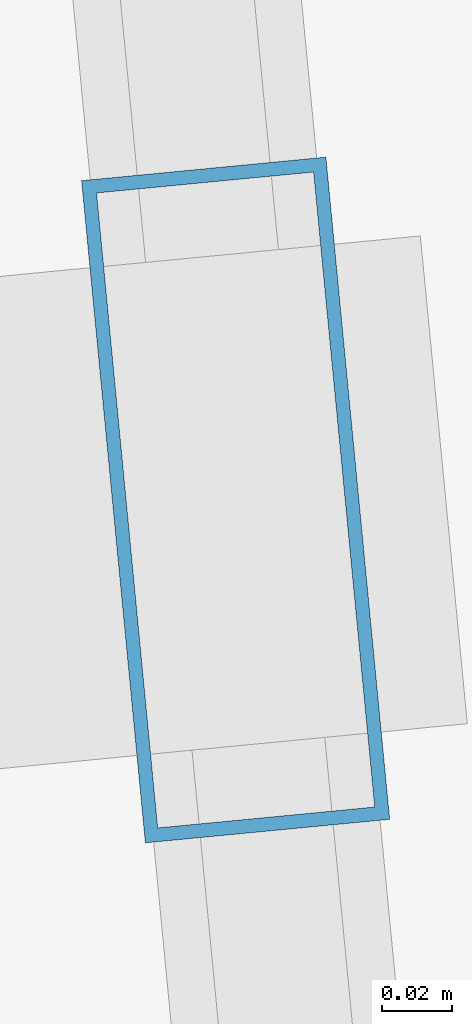
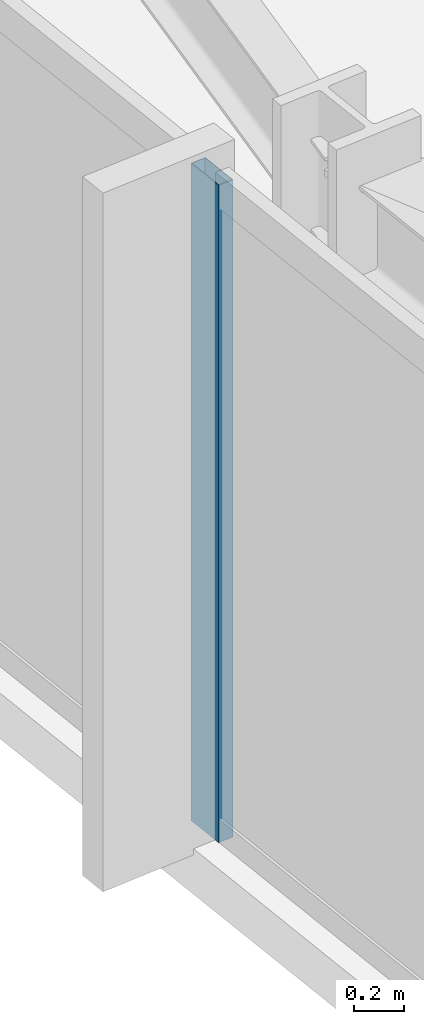
# One storey, part 8 of 33: 1 member, 1 element without a shape of its own.
"""IFC4 building model written with IfcOpenShell, lengths in metres."""

from ifc_helpers import new_model, si_unit, direction, frame, origin, origin_2d, place, context, subcontext, project, spatial, hollow_rectangle, extrude, material, material_profile, profile_set, type_object, element, aggregate, save


model = new_model("IFC4")

# Units and contexts
model_context = context("Model", 3, precision=1e-05, world=origin(), true_north=direction((0.0, 1.0)))
body_context = subcontext(model_context, "Body", "Model", "MODEL_VIEW")
ifc_project = project(units=[si_unit("LENGTHUNIT", "METRE"), si_unit("AREAUNIT", "SQUARE_METRE"), si_unit("VOLUMEUNIT", "CUBIC_METRE"), si_unit("PLANEANGLEUNIT", "RADIAN"), si_unit("MASSUNIT", "GRAM", prefix="KILO")], contexts=[model_context])

# Site, building, storey
site_placement = place(None, origin())
site = spatial("IfcSite", under=ifc_project, at=site_placement, CompositionType="ELEMENT")
building_placement = place(site_placement, origin())
building = spatial("IfcBuilding", under=site, at=building_placement, Name="Yelkora Congress Tower", CompositionType="ELEMENT")
storey_placement = place(building_placement, frame((0.0, 0.0, 127.10009765625)))
storey = spatial("IfcBuildingStorey", under=building, at=storey_placement, Name="L34", CompositionType="ELEMENT", Elevation=127.10009765625)

# Curtain wall, member
ifc_material_1 = material(Name="Anodised aluminium and insulated glass", Category="aluminium")
curtain_wall_type = type_object("IfcCurtainWallType", Name="CW-SYS-B2", PredefinedType="NOTDEFINED", material=ifc_material_1)
curtain_wall_placement = place(storey_placement, origin())
curtain_wall = element("IfcCurtainWall", 1, at=curtain_wall_placement, inside=storey, type_object=curtain_wall_type, Name="L34 Unitised Curtain Wall 5", PredefinedType="NOTDEFINED")
ifc_material_2 = material(Name="Anodised aluminium 6063-T6", Category="aluminium")
ifc_material_profile = material_profile(ifc_material_2, hollow_rectangle(XDim=0.070068359375, YDim=0.18994140625, WallThickness=0.00390625, at=origin_2d()), Name="ALU 70x190x4")
ifc_profile_set = profile_set([ifc_material_profile], Name="Anodised aluminium 6063-T6")
member_type = type_object("IfcMemberType", Name="MEM-ML-B2", PredefinedType="MULLION", material=ifc_profile_set)
member_placement = place(storey_placement, frame((14.47021484375, 35.0341796875, 0.0), z_axis=(0.0, 0.0, 1.0), x_axis=(-0.995396507508, -0.095842541913, 0.0)))
member = element("IfcMember", 2, at=member_placement, type_object=member_type, Name="CW-B2 mullion 4", PredefinedType="MULLION", context=body_context, shape_type="SweptSolid", body=[
    extrude(hollow_rectangle(XDim=0.070068359375, YDim=0.18994140625, WallThickness=0.00390625, at=origin_2d()), origin(), (0.0, 0.0, 1.0), 3.179931640625),
])
aggregate(curtain_wall, [member])

save(model, "model.ifc")
